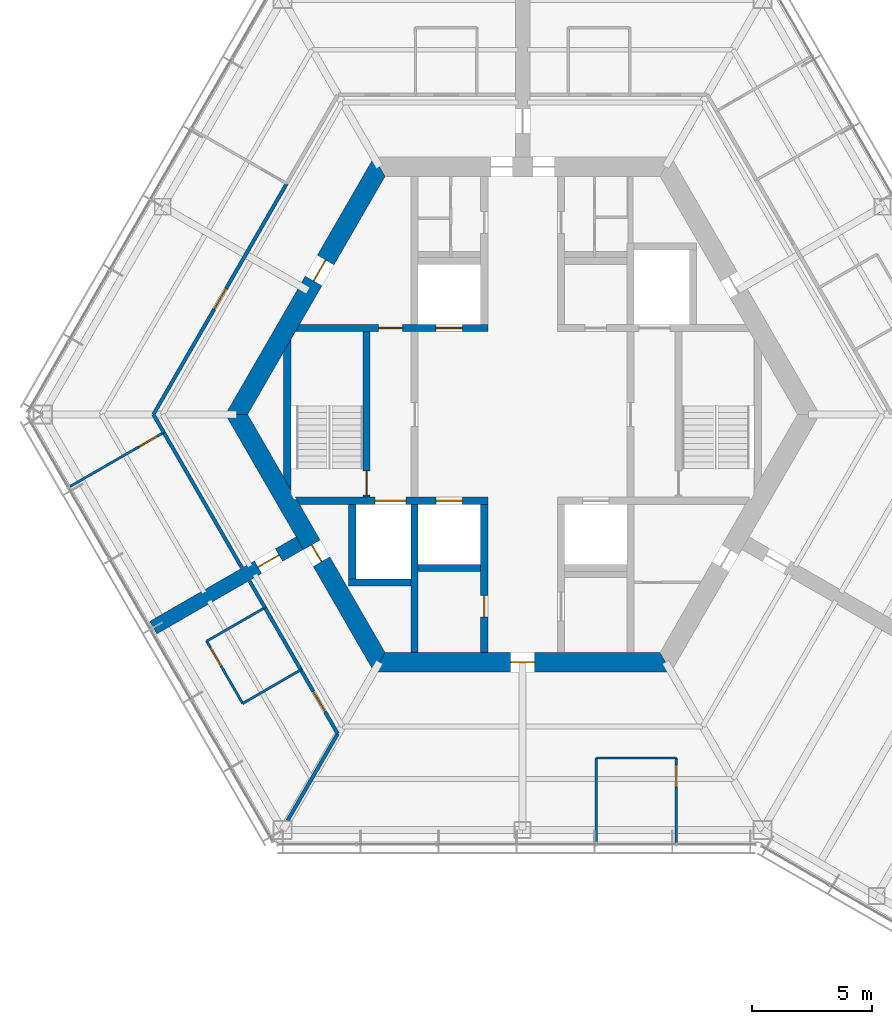
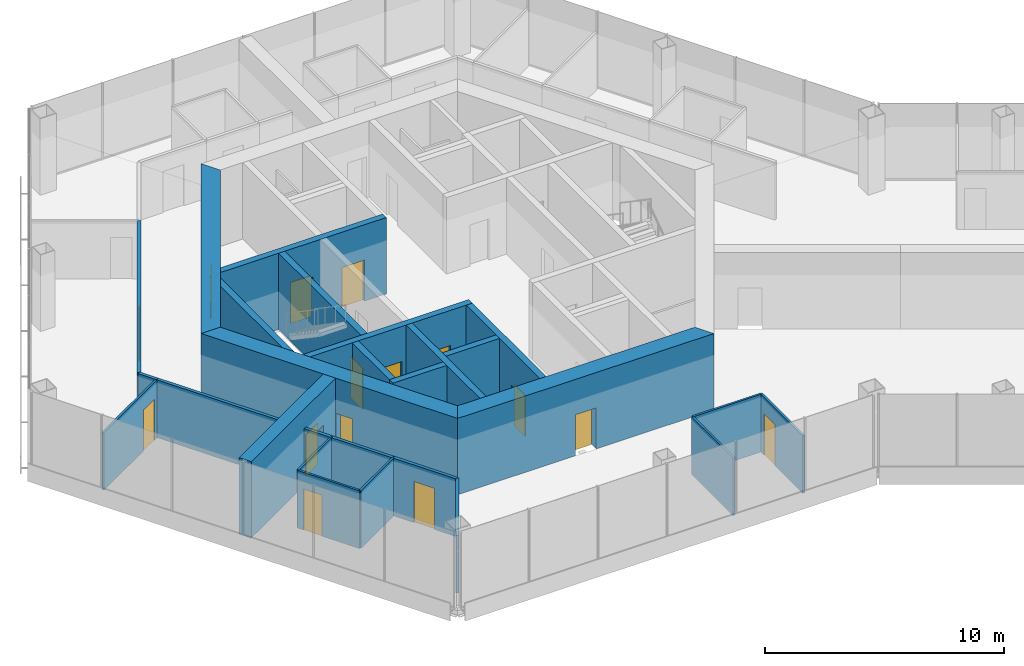
# One storey, part 10 of 15: 27 walls, 15 doors, 15 openings.
"""IFC4 building model written with IfcOpenShell, lengths in metres."""

import ifcopenshell
import ifcopenshell.guid

model = None  # the IFC model being written
_history = None  # IfcOwnerHistory: only IFC2X3 demands one
_inside = {}  # id of a spatial element -> (the spatial element, [elements in it])
_under = {}  # id of a project, library or spatial element -> (it, [spatial elements below it])
_declared = {}  # id of a project -> (the project, [libraries it declares])
_typed = {}  # id of a type object -> (the type object, [elements of that type])
_made_of = {}  # id of a material, layer set ... -> (it, [elements and type objects made of it])


def new_model(schema):
    """Start an empty IFC model of exactly this schema.

    Asked for "IFC4X3", IfcOpenShell would pick the latest addendum, in which some entities
    have other attributes; the version numbers below select the first issue.
    IFC2X3 requires an IfcOwnerHistory on every rooted entity: one is made here for all.
    """
    global model, _history
    if schema == "IFC4X3":
        model = ifcopenshell.file(schema_version=(4, 3, 0, 0))
    else:
        model = ifcopenshell.file(schema=schema)
    _inside.clear()
    _under.clear()
    _declared.clear()
    _typed.clear()
    _made_of.clear()
    _history = None
    if model.schema == "IFC2X3":
        org = make("IfcOrganization", Name="unknown")
        user = make(
            "IfcPersonAndOrganization",
            ThePerson=make("IfcPerson", FamilyName="unknown"),
            TheOrganization=org,
        )
        app = make(
            "IfcApplication",
            ApplicationDeveloper=org,
            Version="unknown",
            ApplicationFullName="unknown",
            ApplicationIdentifier="unknown",
        )
        _history = make(
            "IfcOwnerHistory",
            OwningUser=user,
            OwningApplication=app,
            ChangeAction="ADDED",
            CreationDate=0,
        )
    return model


def make(cls, **values):
    """One entity of the class cls with the attributes given. An attribute that is None is left unset."""
    return model.create_entity(
        cls, **{name: value for name, value in values.items() if value is not None}
    )


def rooted(cls, **values):
    """An entity with a GlobalId (a new one), such as an element, a storey or a relation."""
    return make(cls, GlobalId=ifcopenshell.guid.new(), OwnerHistory=_history, **values)


def si_unit(unit_type, name, prefix=None):
    """IfcSIUnit, for example si_unit("LENGTHUNIT", "METRE", prefix="MILLI")."""
    return make("IfcSIUnit", UnitType=unit_type, Prefix=prefix, Name=name)


def assignment(units):
    """IfcUnitAssignment: the units of a project."""
    return None if units is None else make("IfcUnitAssignment", Units=units)


def point(xyz):
    """IfcCartesianPoint."""
    return None if xyz is None else make("IfcCartesianPoint", Coordinates=xyz)


def direction(xyz):
    """IfcDirection."""
    return None if xyz is None else make("IfcDirection", DirectionRatios=xyz)


def frame(location, z_axis=None, x_axis=None):
    """IfcAxis2Placement3D, a coordinate frame: its origin and axes. An axis left out is left unset."""
    return make(
        "IfcAxis2Placement3D",
        Location=point(location),
        Axis=direction(z_axis),
        RefDirection=direction(x_axis),
    )


def frame_2d(location, x_axis=None):
    """IfcAxis2Placement2D, a coordinate frame in the plane: its origin and x axis."""
    return make(
        "IfcAxis2Placement2D", Location=point(location), RefDirection=direction(x_axis)
    )


def origin():
    """The frame at (0, 0, 0) with its axes left unset."""
    return frame((0.0, 0.0, 0.0))


def place(relative_to, where):
    """IfcLocalPlacement: puts the frame where relative to a parent placement (None: the world)."""
    return make(
        "IfcLocalPlacement", PlacementRelTo=relative_to, RelativePlacement=where
    )


def context(
    kind, dimensions, precision=None, world=None, true_north=None, identifier=None
):
    """IfcGeometricRepresentationContext, for example the 3D "Model" context."""
    return make(
        "IfcGeometricRepresentationContext",
        ContextIdentifier=identifier,
        ContextType=kind,
        CoordinateSpaceDimension=dimensions,
        Precision=precision,
        WorldCoordinateSystem=world,
        TrueNorth=true_north,
    )


def subcontext(parent, identifier, kind, view, scale=None):
    """IfcGeometricRepresentationSubContext, for example "Body" below "Model"."""
    return make(
        "IfcGeometricRepresentationSubContext",
        ContextIdentifier=identifier,
        ContextType=kind,
        ParentContext=parent,
        TargetScale=scale,
        TargetView=view,
    )


def project(units=None, contexts=None):
    """IfcProject with its units and contexts."""
    return rooted(
        "IfcProject",
        Name="project",
        RepresentationContexts=contexts,
        UnitsInContext=assignment(units),
    )


def spatial(cls, under=None, at=None, **own):
    """A site, building, storey or space (cls), placed at a placement, below another one or the project."""
    s = rooted(cls, ObjectPlacement=at, **own)
    if under is not None:
        _under.setdefault(under.id(), (under, []))[1].append(s)
    return s


def polyline(points):
    """IfcPolyline through the points."""
    return make("IfcPolyline", Points=[point(p) for p in points])


def profile(cls, at=None, kind="AREA", **sizes):
    """A parametric profile (cls). Its sizes go by their IFC names, for example OverallWidth=200.0."""
    return make(cls, ProfileType=kind, Position=at, **sizes)


def rectangle(**sizes):
    """IfcRectangleProfileDef."""
    return profile("IfcRectangleProfileDef", **sizes)


def outline(outer, holes=None, kind="AREA"):
    """IfcArbitraryClosedProfileDef: a profile drawn as a closed curve; with holes, ...WithVoids."""
    if holes is None:
        return make("IfcArbitraryClosedProfileDef", ProfileType=kind, OuterCurve=outer)
    return make(
        "IfcArbitraryProfileDefWithVoids",
        ProfileType=kind,
        OuterCurve=outer,
        InnerCurves=holes,
    )


def extrude(swept, where, along, depth):
    """IfcExtrudedAreaSolid: the profile swept, set in the frame where, extruded along a direction by depth."""
    return make(
        "IfcExtrudedAreaSolid",
        SweptArea=swept,
        Position=where,
        ExtrudedDirection=direction(along),
        Depth=depth,
    )


def shape(context_of_items, identifier, shape_type, items):
    """IfcShapeRepresentation: the items that make up one representation, for example the "Body"."""
    return make(
        "IfcShapeRepresentation",
        ContextOfItems=context_of_items,
        RepresentationIdentifier=identifier,
        RepresentationType=shape_type,
        Items=items,
    )


def material(Name=None, Category=None):
    """IfcMaterial."""
    return make("IfcMaterial", Name=Name, Category=Category)


def layer(
    of_material, thickness, ventilated=None, Name=None, Category=None, Priority=None
):
    """IfcMaterialLayer: one layer of a wall or slab, of a material (None: an air gap)."""
    return make(
        "IfcMaterialLayer",
        Material=of_material,
        LayerThickness=thickness,
        IsVentilated=ventilated,
        Name=Name,
        Category=Category,
        Priority=Priority,
    )


def layer_set(layers, Name=None):
    """IfcMaterialLayerSet."""
    return make("IfcMaterialLayerSet", MaterialLayers=layers, LayerSetName=Name)


def made_of(thing, what):
    """Note that an element or type object is made of a material, layer set ...; save() writes the relation."""
    if what is not None:
        _made_of.setdefault(what.id(), (what, []))[1].append(thing)
    return thing


def type_object(cls, material=None, **own):
    """A type object (cls), such as IfcWallType, which elements share."""
    return made_of(rooted(cls, **own), material)


def element(
    cls,
    number,
    at=None,
    inside=None,
    cuts=None,
    type_object=None,
    material=None,
    context=None,
    identifier="Body",
    shape_type=None,
    held_by="IfcProductDefinitionShape",
    body=None,
    shapes=None,
    **own,
):
    """One element of the class cls, such as IfcWall. Its Tag is "e" and its number.

    at: its placement. inside: the storey or other place that contains it. cuts: it is an
    opening in that element (IfcRelVoidsElement). A single representation is given by context,
    identifier, shape_type and body (its items); several are given by shapes. held_by: the class
    of the entity that holds the representations. save() writes the other relations.
    """
    e = rooted(cls, Tag="e%d" % number, ObjectPlacement=at, **own)
    if body is not None:
        shapes = [shape(context, identifier, shape_type, body)]
    if shapes is not None:
        e.Representation = make(held_by, Representations=shapes)
    if inside is not None:
        _inside.setdefault(inside.id(), (inside, []))[1].append(e)
    if cuts is not None:
        rooted(
            "IfcRelVoidsElement", RelatingBuildingElement=cuts, RelatedOpeningElement=e
        )
    if type_object is not None:
        _typed.setdefault(type_object.id(), (type_object, []))[1].append(e)
    return made_of(e, material)


def fill(opening, filler):
    """IfcRelFillsElement: the door or window that sits in an opening."""
    return rooted(
        "IfcRelFillsElement",
        RelatingOpeningElement=opening,
        RelatedBuildingElement=filler,
    )


def aggregate(whole, parts):
    """IfcRelAggregates: a whole, such as a stair, and the parts it consists of."""
    return rooted("IfcRelAggregates", RelatingObject=whole, RelatedObjects=parts)


def save(model, path):
    """Write the relations noted so far, then the file.

    IfcRelAggregates (storeys below a building ...), IfcRelContainedInSpatialStructure (elements
    in a storey), IfcRelDefinesByType, IfcRelAssociatesMaterial and IfcRelDeclares: one each for
    every whole, place, type object, material and project.
    """
    for whole, parts in _under.values():
        aggregate(whole, parts)
    for where, things in _inside.values():
        rooted(
            "IfcRelContainedInSpatialStructure",
            RelatedElements=things,
            RelatingStructure=where,
        )
    for kind, things in _typed.values():
        rooted("IfcRelDefinesByType", RelatedObjects=things, RelatingType=kind)
    for what, things in _made_of.values():
        rooted("IfcRelAssociatesMaterial", RelatedObjects=things, RelatingMaterial=what)
    for by, libraries in _declared.values():
        rooted("IfcRelDeclares", RelatingContext=by, RelatedDefinitions=libraries)
    model.write(path)


model = new_model("IFC4")

# Units and contexts
model_context = context("Model", 3, precision=1e-05, world=origin(), true_north=direction((0.0, 1.0)))
body_context = subcontext(model_context, "Body", "Model", "MODEL_VIEW")
ifc_project = project(units=[si_unit("LENGTHUNIT", "METRE"), si_unit("AREAUNIT", "SQUARE_METRE"), si_unit("VOLUMEUNIT", "CUBIC_METRE"), si_unit("PLANEANGLEUNIT", "RADIAN"), si_unit("MASSUNIT", "GRAM", prefix="KILO")], contexts=[model_context])

# Site, building, storey
site_placement = place(None, origin())
site = spatial("IfcSite", under=ifc_project, at=site_placement, CompositionType="ELEMENT")
building_placement = place(site_placement, origin())
building = spatial("IfcBuilding", under=site, at=building_placement, Name="Kasaneha Research Tower", CompositionType="ELEMENT")
storey_placement = place(building_placement, frame((0.0, 0.0, 240.10009765625)))
storey = spatial("IfcBuildingStorey", under=building, at=storey_placement, Name="L60", CompositionType="ELEMENT", Elevation=240.10009765625)

# Wall, openings, doors
ifc_material_1 = material(Name="Concrete Fc60", Category="concrete")
ifc_layer_1 = layer(ifc_material_1, 0.300048828125)
ifc_layer_set_1 = layer_set([ifc_layer_1], Name="Core internal wall 300 Fc60")
wall_type_1 = type_object("IfcWallType", Name="Core internal wall 300 Fc60", PredefinedType="SHEAR", material=ifc_layer_set_1)
wall_1_placement = place(storey_placement, frame((-9.3818359375, 3.60009765625, 0.0), z_axis=(0.0, 0.0, 1.0), x_axis=(1.0, 0.0, 0.0)))
wall_1 = element("IfcWall", 1, at=wall_1_placement, inside=storey, type_object=wall_type_1, Name="Core wall W1W L60", PredefinedType="SHEAR", context=body_context, shape_type="SweptSolid", body=[
    extrude(outline(polyline([(-0.086669921875, -0.14990234375), (3.3818359375, -0.14990234375), (4.3818359375, -0.14990234375), (5.781982421875, -0.14990234375), (6.882080078125, -0.14990234375), (7.931884765625, -0.14990234375), (7.931884765625, 0.14990234375), (6.882080078125, 0.14990234375), (5.781982421875, 0.14990234375), (4.3818359375, 0.14990234375), (3.3818359375, 0.14990234375), (0.086669921875, 0.14990234375), (-0.086669921875, -0.14990234375)])), origin(), (0.0, 0.0, 1.0), 3.89990234375),
])
opening_1_placement = place(wall_1_placement, frame((3.3818359375, 0.0, 0.0)))
opening_1 = element("IfcOpeningElement", 2, at=opening_1_placement, cuts=wall_1, Name="Opening L60-D12", PredefinedType="OPENING", context=body_context, shape_type="SweptSolid", body=[
    extrude(rectangle(XDim=1.0, YDim=2.10009765625, at=frame_2d((0.5, 1.050048828125))), frame((0.0, 0.16015625, 0.0), z_axis=(0.0, -1.0, 0.0), x_axis=(1.0, 0.0, 0.0)), (0.0, 0.0, 1.0), 0.320068359375),
])
opening_2_placement = place(wall_1_placement, frame((5.781982421875, 0.0, 0.0)))
opening_2 = element("IfcOpeningElement", 3, at=opening_2_placement, cuts=wall_1, Name="Opening LD-LH2-L60", PredefinedType="OPENING", context=body_context, shape_type="SweptSolid", body=[
    extrude(rectangle(XDim=1.10009765625, YDim=2.10009765625, at=frame_2d((0.550048828125, 1.050048828125))), frame((0.0, 0.16015625, 0.0), z_axis=(0.0, -1.0, 0.0), x_axis=(1.0, 0.0, 0.0)), (0.0, 0.0, 1.0), 0.320068359375),
])
ifc_material_2 = material(Name="Steel", Category="steel")
door_type_1 = type_object("IfcDoorType", Name="Lift landing door 1100x2100", OperationType="DOUBLE_DOOR_SLIDING", PredefinedType="DOOR", material=ifc_material_2)
door_1_placement = place(opening_2_placement, origin())
door_1 = element("IfcDoor", 4, at=door_1_placement, inside=storey, type_object=door_type_1, Name="Landing door LH2 LD-LH2-L60", OperationType="DOUBLE_DOOR_SLIDING", OverallHeight=2.10009765625, OverallWidth=1.10009765625, PredefinedType="DOOR", context=body_context, shape_type="SweptSolid", body=[
    extrude(rectangle(XDim=1.10009765625, YDim=2.10009765625, at=frame_2d((0.550048828125, 1.050048828125))), frame((0.0, 0.02490234375, 0.0), z_axis=(0.0, -1.0, 0.0), x_axis=(1.0, 0.0, 0.0)), (0.0, 0.0, 1.0), 0.050048828125),
])
fill(opening_2, door_1)
ifc_material_3 = material(Name="Steel", Category="steel")
door_type_2 = type_object("IfcDoorType", Name="Specified fire door FD60 1000x2100", OperationType="NOTDEFINED", PredefinedType="DOOR", material=ifc_material_3)
door_2_placement = place(opening_1_placement, origin())
door_2 = element("IfcDoor", 5, at=door_2_placement, inside=storey, type_object=door_type_2, Name="Vestibule to lobby door L60-D12", OperationType="SINGLE_SWING_LEFT", OverallHeight=2.10009765625, OverallWidth=1.0, PredefinedType="DOOR", context=body_context, shape_type="SweptSolid", body=[
    extrude(rectangle(XDim=1.0, YDim=2.10009765625, at=frame_2d((0.5, 1.050048828125))), frame((0.0, 0.02490234375, 0.0), z_axis=(0.0, -1.0, 0.0), x_axis=(1.0, 0.0, 0.0)), (0.0, 0.0, 1.0), 0.050048828125),
])
fill(opening_1, door_2)

wall_2_placement = place(storey_placement, frame((-9.3818359375, -3.60009765625, 0.0), z_axis=(0.0, 0.0, 1.0), x_axis=(1.0, 0.0, 0.0)))
wall_2 = element("IfcWall", 6, at=wall_2_placement, inside=storey, type_object=wall_type_1, Name="Core wall W2W L60", PredefinedType="SHEAR", context=body_context, shape_type="SweptSolid", body=[
    extrude(outline(polyline([(0.086669921875, -0.14990234375), (3.23193359375, -0.14990234375), (4.531982421875, -0.14990234375), (5.781982421875, -0.14990234375), (6.882080078125, -0.14990234375), (7.931884765625, -0.14990234375), (7.931884765625, 0.14990234375), (6.882080078125, 0.14990234375), (5.781982421875, 0.14990234375), (4.531982421875, 0.14990234375), (3.23193359375, 0.14990234375), (-0.086669921875, 0.14990234375), (0.086669921875, -0.14990234375)])), origin(), (0.0, 0.0, 1.0), 3.89990234375),
])
opening_3_placement = place(wall_2_placement, frame((5.781982421875, 0.0, 0.0)))
opening_3 = element("IfcOpeningElement", 7, at=opening_3_placement, cuts=wall_2, Name="Opening LD-LH1-L60", PredefinedType="OPENING", context=body_context, shape_type="SweptSolid", body=[
    extrude(rectangle(XDim=1.10009765625, YDim=2.10009765625, at=frame_2d((0.550048828125, 1.050048828125))), frame((0.0, 0.16015625, 0.0), z_axis=(0.0, -1.0, 0.0), x_axis=(1.0, 0.0, 0.0)), (0.0, 0.0, 1.0), 0.320068359375),
])
opening_4_placement = place(wall_2_placement, frame((3.23193359375, 0.0, 0.0)))
opening_4 = element("IfcOpeningElement", 8, at=opening_4_placement, cuts=wall_2, Name="Opening LD-FL2-L60", PredefinedType="OPENING", context=body_context, shape_type="SweptSolid", body=[
    extrude(rectangle(XDim=1.300048828125, YDim=2.10009765625, at=frame_2d((0.64990234375, 1.050048828125))), frame((0.0, 0.16015625, 0.0), z_axis=(0.0, -1.0, 0.0), x_axis=(1.0, 0.0, 0.0)), (0.0, 0.0, 1.0), 0.320068359375),
])
door_3_placement = place(opening_3_placement, origin())
door_3 = element("IfcDoor", 9, at=door_3_placement, inside=storey, type_object=door_type_1, Name="Landing door LH1 LD-LH1-L60", OperationType="DOUBLE_DOOR_SLIDING", OverallHeight=2.10009765625, OverallWidth=1.10009765625, PredefinedType="DOOR", context=body_context, shape_type="SweptSolid", body=[
    extrude(rectangle(XDim=1.10009765625, YDim=2.10009765625, at=frame_2d((0.550048828125, 1.050048828125))), frame((0.0, 0.02490234375, 0.0), z_axis=(0.0, -1.0, 0.0), x_axis=(1.0, 0.0, 0.0)), (0.0, 0.0, 1.0), 0.050048828125),
])
fill(opening_3, door_3)
ifc_material_4 = material(Name="Steel", Category="steel")
door_type_3 = type_object("IfcDoorType", Name="Lift landing door 1300x2100", OperationType="DOUBLE_DOOR_SLIDING", PredefinedType="DOOR", material=ifc_material_4)
door_4_placement = place(opening_4_placement, origin())
door_4 = element("IfcDoor", 10, at=door_4_placement, inside=storey, type_object=door_type_3, Name="Landing door FL2 LD-FL2-L60", OperationType="DOUBLE_DOOR_SLIDING", OverallHeight=2.10009765625, OverallWidth=1.300048828125, PredefinedType="DOOR", context=body_context, shape_type="SweptSolid", body=[
    extrude(rectangle(XDim=1.300048828125, YDim=2.10009765625, at=frame_2d((0.64990234375, 1.050048828125))), frame((0.0, 0.02490234375, 0.0), z_axis=(0.0, -1.0, 0.0), x_axis=(1.0, 0.0, 0.0)), (0.0, 0.0, 1.0), 0.050048828125),
])
fill(opening_4, door_4)

# Wall, opening, door
wall_3_placement = place(storey_placement, frame((-1.60009765625, -3.75, 0.0), z_axis=(0.0, 0.0, 1.0), x_axis=(0.0, -1.0, 0.0)))
wall_3 = element("IfcWall", 11, at=wall_3_placement, inside=storey, type_object=wall_type_1, Name="Core wall CSW L60", PredefinedType="SHEAR", context=body_context, shape_type="SweptSolid", body=[
    extrude(rectangle(XDim=6.175048828125, YDim=0.300048828125, at=frame_2d((3.08740234375, 0.0))), origin(), (0.0, 0.0, 1.0), 3.89990234375),
])
opening_5_placement = place(wall_3_placement, frame((3.800048828125, 0.0, 0.0)))
opening_5 = element("IfcOpeningElement", 12, at=opening_5_placement, cuts=wall_3, Name="Opening L60-D16", PredefinedType="OPENING", context=body_context, shape_type="SweptSolid", body=[
    extrude(rectangle(XDim=0.89990234375, YDim=2.10009765625, at=frame_2d((0.449951171875, 1.050048828125))), frame((0.0, 0.16015625, 0.0), z_axis=(0.0, -1.0, 0.0), x_axis=(1.0, 0.0, 0.0)), (0.0, 0.0, 1.0), 0.320068359375),
])
ifc_material_5 = material(Name="Steel", Category="steel")
door_type_4 = type_object("IfcDoorType", Name="Riser access door FD60 900x2100", OperationType="NOTDEFINED", PredefinedType="DOOR", material=ifc_material_5)
door_5_placement = place(opening_5_placement, origin())
door_5 = element("IfcDoor", 13, at=door_5_placement, inside=storey, type_object=door_type_4, Name="Electrical riser door L60-D16", OperationType="SINGLE_SWING_LEFT", OverallHeight=2.10009765625, OverallWidth=0.89990234375, PredefinedType="DOOR", context=body_context, shape_type="SweptSolid", body=[
    extrude(rectangle(XDim=0.89990234375, YDim=2.10009765625, at=frame_2d((0.449951171875, 1.050048828125))), frame((0.0, 0.02490234375, 0.0), z_axis=(0.0, -1.0, 0.0), x_axis=(1.0, 0.0, 0.0)), (0.0, 0.0, 1.0), 0.050048828125),
])
fill(opening_5, door_5)

wall_4_placement = place(storey_placement, frame((-6.5, -3.449951171875, 0.0), z_axis=(0.0, 0.0, 1.0), x_axis=(0.0, 1.0, 0.0)))
wall_4 = element("IfcWall", 14, at=wall_4_placement, inside=storey, type_object=wall_type_1, Name="Core wall ANW L60", PredefinedType="SHEAR", context=body_context, shape_type="SweptSolid", body=[
    extrude(rectangle(XDim=6.89990234375, YDim=0.300048828125, at=frame_2d((3.449951171875, 0.0))), origin(), (0.0, 0.0, 1.0), 3.89990234375),
])
opening_6_placement = place(wall_4_placement, frame((0.10009765625, 0.0, 0.0)))
opening_6 = element("IfcOpeningElement", 15, at=opening_6_placement, cuts=wall_4, Name="Opening L60-D11", PredefinedType="OPENING", context=body_context, shape_type="SweptSolid", body=[
    extrude(rectangle(XDim=1.0, YDim=2.10009765625, at=frame_2d((0.5, 1.050048828125))), frame((0.0, 0.16015625, 0.0), z_axis=(0.0, -1.0, 0.0), x_axis=(1.0, 0.0, 0.0)), (0.0, 0.0, 1.0), 0.320068359375),
])
door_6_placement = place(opening_6_placement, origin())
door_6 = element("IfcDoor", 16, at=door_6_placement, inside=storey, type_object=door_type_2, Name="Stair 2 door L60-D11", OperationType="SINGLE_SWING_LEFT", OverallHeight=2.10009765625, OverallWidth=1.0, PredefinedType="DOOR", context=body_context, shape_type="SweptSolid", body=[
    extrude(rectangle(XDim=1.0, YDim=2.10009765625, at=frame_2d((0.5, 1.050048828125))), frame((0.0, 0.02490234375, 0.0), z_axis=(0.0, -1.0, 0.0), x_axis=(1.0, 0.0, 0.0)), (0.0, 0.0, 1.0), 0.050048828125),
])
fill(opening_6, door_6)

# Walls
wall_5_placement = place(storey_placement, frame((-4.5, -3.75, 0.0), z_axis=(0.0, 0.0, 1.0), x_axis=(0.0, -1.0, 0.0)))
element("IfcWall", 17, at=wall_5_placement, inside=storey, type_object=wall_type_1, Name="Core wall SSW L60", PredefinedType="SHEAR", context=body_context, shape_type="SweptSolid", body=[
    extrude(rectangle(XDim=6.175048828125, YDim=0.300048828125, at=frame_2d((3.08740234375, 0.0))), origin(), (0.0, 0.0, 1.0), 3.89990234375),
])
for number, where, z_axis, x_axis, name in (
    (18, (-4.35009765625, -6.39990234375, 0.0), (0.0, 0.0, 1.0), (1.0, 0.0, 0.0), "Core wall S1S L60"),
    (19, (-7.25, -7.0, 0.0), (0.0, 0.0, 1.0), (1.0, 0.0, 0.0), "Core wall F2S L60"),
):
    element("IfcWall", number, at=place(storey_placement, frame(where, z_axis=z_axis, x_axis=x_axis)), inside=storey, type_object=wall_type_1, Name=name, PredefinedType="SHEAR", context=body_context, shape_type="SweptSolid", body=[
        extrude(rectangle(XDim=2.60009765625, YDim=0.300048828125, at=frame_2d((1.300048828125, 0.0))), origin(), (0.0, 0.0, 1.0), 3.89990234375),
    ])
wall_6_placement = place(storey_placement, frame((-7.10009765625, -3.75, 0.0), z_axis=(0.0, 0.0, 1.0), x_axis=(0.0, -1.0, 0.0)))
element("IfcWall", 20, at=wall_6_placement, inside=storey, type_object=wall_type_1, Name="Core wall F2W L60", PredefinedType="SHEAR", context=body_context, shape_type="SweptSolid", body=[
    extrude(rectangle(XDim=3.10009765625, YDim=0.300048828125, at=frame_2d((1.550048828125, 0.0))), origin(), (0.0, 0.0, 1.0), 3.89990234375),
])
wall_7_placement = place(storey_placement, frame((-9.807861328125, -2.8623046875, 0.0), z_axis=(0.0, 0.0, 1.0), x_axis=(0.0, 1.0, 0.0)))
element("IfcWall", 21, at=wall_7_placement, inside=storey, type_object=wall_type_1, Name="Core wall STW L60", PredefinedType="SHEAR", context=body_context, shape_type="SweptSolid", body=[
    extrude(outline(polyline([(-0.259765625, -0.14990234375), (5.984375, -0.14990234375), (5.46484375, 0.14990234375), (0.259765625, 0.14990234375), (-0.259765625, -0.14990234375)])), origin(), (0.0, 0.0, 1.0), 3.89990234375),
])

# Wall, opening, door
ifc_material_6 = material(Name="Concrete Fc60", Category="concrete")
ifc_layer_2 = layer(ifc_material_6, 0.800048828125)
ifc_layer_set_2 = layer_set([ifc_layer_2], Name="Core wall 800 Fc60")
wall_type_2 = type_object("IfcWallType", Name="Core wall 800 Fc60", PredefinedType="SHEAR", material=ifc_layer_set_2)
wall_8_placement = place(storey_placement, frame((-5.961181640625, 10.324951171875, 0.0), z_axis=(0.0, 0.0, 1.0), x_axis=(-0.500004296715, -0.866022923061, 0.0)))
wall_8 = element("IfcWall", 22, at=wall_8_placement, inside=storey, type_object=wall_type_2, Name="Core wall 150 L60", PredefinedType="SHEAR", context=body_context, shape_type="SweptSolid", body=[
    extrude(outline(polyline([(-0.23095703125, -0.39990234375), (4.494140625, -0.39990234375), (5.494140625, -0.39990234375), (12.1533203125, -0.39990234375), (11.69140625, 0.39990234375), (5.494140625, 0.39990234375), (4.494140625, 0.39990234375), (0.23095703125, 0.39990234375), (-0.23095703125, -0.39990234375)])), origin(), (0.0, 0.0, 1.0), 3.89990234375),
])
opening_7_placement = place(wall_8_placement, frame((4.494140625, 0.0, 0.0)))
opening_7 = element("IfcOpeningElement", 23, at=opening_7_placement, cuts=wall_8, Name="Opening L60-D07", PredefinedType="OPENING", context=body_context, shape_type="SweptSolid", body=[
    extrude(rectangle(XDim=1.0, YDim=2.10009765625, at=frame_2d((0.5, 1.050048828125))), frame((0.0, 0.41015625, 0.0), z_axis=(0.0, -1.0, 0.0), x_axis=(1.0, 0.0, 0.0)), (0.0, 0.0, 1.0), 0.820068359375),
])
ifc_material_7 = material(Name="Steel", Category="steel")
door_type_5 = type_object("IfcDoorType", Name="Fire door FD20 1000x2100", OperationType="NOTDEFINED", PredefinedType="DOOR", material=ifc_material_7)
door_7_placement = place(opening_7_placement, origin())
door_7 = element("IfcDoor", 24, at=door_7_placement, inside=storey, type_object=door_type_5, Name="Vestibule door L60-D07", OperationType="SINGLE_SWING_LEFT", OverallHeight=2.10009765625, OverallWidth=1.0, PredefinedType="DOOR", context=body_context, shape_type="SweptSolid", body=[
    extrude(rectangle(XDim=1.0, YDim=2.10009765625, at=frame_2d((0.5, 1.050048828125))), frame((0.0, 0.02490234375, 0.0), z_axis=(0.0, -1.0, 0.0), x_axis=(1.0, 0.0, 0.0)), (0.0, 0.0, 1.0), 0.050048828125),
])
fill(opening_7, door_7)

wall_9_placement = place(storey_placement, frame((-11.92236328125, 0.0, 0.0), z_axis=(0.0, 0.0, 1.0), x_axis=(0.500004296715, -0.866022923061, 0.0)))
wall_9 = element("IfcWall", 25, at=wall_9_placement, inside=storey, type_object=wall_type_2, Name="Core wall 210 L60", PredefinedType="SHEAR", context=body_context, shape_type="SweptSolid", body=[
    extrude(outline(polyline([(-0.23095703125, -0.39990234375), (6.28125, -0.39990234375), (7.081298828125, -0.39990234375), (12.1533203125, -0.39990234375), (11.69140625, 0.39990234375), (7.081298828125, 0.39990234375), (6.28125, 0.39990234375), (0.23095703125, 0.39990234375), (-0.23095703125, -0.39990234375)])), origin(), (0.0, 0.0, 1.0), 3.89990234375),
])
opening_8_placement = place(wall_9_placement, frame((6.28125, 0.0, 0.0)))
opening_8 = element("IfcOpeningElement", 26, at=opening_8_placement, cuts=wall_9, Name="Opening L60-D06", PredefinedType="OPENING", context=body_context, shape_type="SweptSolid", body=[
    extrude(rectangle(XDim=0.800048828125, YDim=2.10009765625, at=frame_2d((0.39990234375, 1.050048828125))), frame((0.0, 0.41015625, 0.0), z_axis=(0.0, -1.0, 0.0), x_axis=(1.0, 0.0, 0.0)), (0.0, 0.0, 1.0), 0.820068359375),
])
ifc_material_8 = material(Name="Steel", Category="steel")
door_type_6 = type_object("IfcDoorType", Name="Riser access door FD60 800x2100", OperationType="NOTDEFINED", PredefinedType="DOOR", material=ifc_material_8)
door_8_placement = place(opening_8_placement, origin())
door_8 = element("IfcDoor", 27, at=door_8_placement, inside=storey, type_object=door_type_6, Name="Duct riser door L60-D06", OperationType="SINGLE_SWING_RIGHT", OverallHeight=2.10009765625, OverallWidth=0.800048828125, PredefinedType="DOOR", context=body_context, shape_type="SweptSolid", body=[
    extrude(rectangle(XDim=0.800048828125, YDim=2.10009765625, at=frame_2d((0.39990234375, 1.050048828125))), frame((0.0, 0.02490234375, 0.0), z_axis=(0.0, -1.0, 0.0), x_axis=(1.0, 0.0, 0.0)), (0.0, 0.0, 1.0), 0.050048828125),
])
fill(opening_8, door_8)

wall_10_placement = place(storey_placement, frame((-5.961181640625, -10.324951171875, 0.0), z_axis=(0.0, 0.0, 1.0), x_axis=(1.0, 0.0, 0.0)))
wall_10 = element("IfcWall", 28, at=wall_10_placement, inside=storey, type_object=wall_type_2, Name="Core wall 270 L60", PredefinedType="SHEAR", context=body_context, shape_type="SweptSolid", body=[
    extrude(outline(polyline([(-0.23095703125, -0.39990234375), (5.461181640625, -0.39990234375), (6.461181640625, -0.39990234375), (12.1533203125, -0.39990234375), (11.69140625, 0.39990234375), (6.461181640625, 0.39990234375), (5.461181640625, 0.39990234375), (0.23095703125, 0.39990234375), (-0.23095703125, -0.39990234375)])), origin(), (0.0, 0.0, 1.0), 3.89990234375),
])
opening_9_placement = place(wall_10_placement, frame((5.461181640625, 0.0, 0.0)))
opening_9 = element("IfcOpeningElement", 29, at=opening_9_placement, cuts=wall_10, Name="Opening L60-D03", PredefinedType="OPENING", context=body_context, shape_type="SweptSolid", body=[
    extrude(rectangle(XDim=1.0, YDim=2.10009765625, at=frame_2d((0.5, 1.050048828125))), frame((0.0, 0.41015625, 0.0), z_axis=(0.0, -1.0, 0.0), x_axis=(1.0, 0.0, 0.0)), (0.0, 0.0, 1.0), 0.820068359375),
])
door_9_placement = place(opening_9_placement, origin())
door_9 = element("IfcDoor", 30, at=door_9_placement, inside=storey, type_object=door_type_5, Name="Core door south L60-D03", OperationType="SINGLE_SWING_LEFT", OverallHeight=2.10009765625, OverallWidth=1.0, PredefinedType="DOOR", context=body_context, shape_type="SweptSolid", body=[
    extrude(rectangle(XDim=1.0, YDim=2.10009765625, at=frame_2d((0.5, 1.050048828125))), frame((0.0, 0.02490234375, 0.0), z_axis=(0.0, -1.0, 0.0), x_axis=(1.0, 0.0, 0.0)), (0.0, 0.0, 1.0), 0.050048828125),
])
fill(opening_9, door_9)

ifc_material_9 = material(Name="Gypsum board on steel studs, one layer each side", Category="steel")
ifc_layer_3 = layer(ifc_material_9, 0.10009765625)
ifc_layer_set_3 = layer_set([ifc_layer_3], Name="Office partition 100")
wall_type_3 = type_object("IfcWallType", Name="Office partition 100", PredefinedType="PARTITIONING", material=ifc_layer_set_3)
wall_11_placement = place(storey_placement, frame((-18.857177734375, -2.99951171875, 0.0), z_axis=(0.0, 0.0, 1.0), x_axis=(0.866517357236, 0.4991469419, 0.0)))
wall_11 = element("IfcWall", 31, at=wall_11_placement, inside=storey, type_object=wall_type_3, Name="Office partition FBN05 L60", PredefinedType="PARTITIONING", context=body_context, shape_type="SweptSolid", body=[
    extrude(rectangle(XDim=4.505615234375, YDim=0.10009765625, at=frame_2d((2.2529296875, 0.0))), origin(), (0.0, 0.0, 1.0), 2.949951171875),
])
opening_10_placement = place(wall_11_placement, frame((3.3056640625, 0.0, 0.0)))
opening_10 = element("IfcOpeningElement", 32, at=opening_10_placement, cuts=wall_11, Name="Opening L60-D34", PredefinedType="OPENING", context=body_context, shape_type="SweptSolid", body=[
    extrude(rectangle(XDim=0.89990234375, YDim=2.10009765625, at=frame_2d((0.449951171875, 1.050048828125))), frame((0.0, 0.06005859375, 0.0), z_axis=(0.0, -1.0, 0.0), x_axis=(1.0, 0.0, 0.0)), (0.0, 0.0, 1.0), 0.1201171875),
])
ifc_material_10 = material(Name="Timber veneer", Category="wood")
door_type_7 = type_object("IfcDoorType", Name="Office door 900x2100", OperationType="SINGLE_SWING_LEFT", PredefinedType="DOOR", material=ifc_material_10)
door_10_placement = place(opening_10_placement, origin())
door_10 = element("IfcDoor", 33, at=door_10_placement, inside=storey, type_object=door_type_7, Name="Meeting room door L60-D34", OperationType="SINGLE_SWING_RIGHT", OverallHeight=2.10009765625, OverallWidth=0.89990234375, PredefinedType="DOOR", context=body_context, shape_type="SweptSolid", body=[
    extrude(rectangle(XDim=0.89990234375, YDim=2.10009765625, at=frame_2d((0.449951171875, 1.050048828125))), frame((0.0, 0.02490234375, 0.0), z_axis=(0.0, -1.0, 0.0), x_axis=(1.0, 0.0, 0.0)), (0.0, 0.0, 1.0), 0.050048828125),
])
fill(opening_10, door_10)

# Wall
wall_12_placement = place(storey_placement, frame((-13.164794921875, -9.447998046875, 0.0), z_axis=(0.0, 0.0, 1.0), x_axis=(0.866855433567, 0.498559582492, 0.0)))
element("IfcWall", 34, at=wall_12_placement, inside=storey, type_object=wall_type_3, Name="Office partition FBS04 L60", PredefinedType="PARTITIONING", context=body_context, shape_type="SweptSolid", body=[
    extrude(rectangle(XDim=2.800048828125, YDim=0.10009765625, at=frame_2d((1.39990234375, 0.0))), origin(), (0.0, 0.0, 1.0), 2.949951171875),
])

# Wall, opening, door
wall_13_placement = place(storey_placement, frame((-11.664794921875, -12.046142578125, 0.0), z_axis=(0.0, 0.0, 1.0), x_axis=(-0.499990139034, 0.866031096941, 0.0)))
wall_13 = element("IfcWall", 35, at=wall_13_placement, inside=storey, type_object=wall_type_3, Name="Office partition FBS05 L60", PredefinedType="PARTITIONING", context=body_context, shape_type="SweptSolid", body=[
    extrude(rectangle(XDim=3.0, YDim=0.10009765625, at=frame_2d((1.5, 0.0))), origin(), (0.0, 0.0, 1.0), 2.949951171875),
])
opening_11_placement = place(wall_13_placement, frame((1.800048828125, 0.0, 0.0)))
opening_11 = element("IfcOpeningElement", 36, at=opening_11_placement, cuts=wall_13, Name="Opening L60-D37", PredefinedType="OPENING", context=body_context, shape_type="SweptSolid", body=[
    extrude(rectangle(XDim=0.89990234375, YDim=2.10009765625, at=frame_2d((0.449951171875, 1.050048828125))), frame((0.0, 0.06005859375, 0.0), z_axis=(0.0, -1.0, 0.0), x_axis=(1.0, 0.0, 0.0)), (0.0, 0.0, 1.0), 0.1201171875),
])
door_11_placement = place(opening_11_placement, origin())
door_11 = element("IfcDoor", 37, at=door_11_placement, inside=storey, type_object=door_type_7, Name="Pantry door L60-D37", OperationType="SINGLE_SWING_RIGHT", OverallHeight=2.10009765625, OverallWidth=0.89990234375, PredefinedType="DOOR", context=body_context, shape_type="SweptSolid", body=[
    extrude(rectangle(XDim=0.89990234375, YDim=2.10009765625, at=frame_2d((0.449951171875, 1.050048828125))), frame((0.0, 0.02490234375, 0.0), z_axis=(0.0, -1.0, 0.0), x_axis=(1.0, 0.0, 0.0)), (0.0, 0.0, 1.0), 0.050048828125),
])
fill(opening_11, door_11)

# Walls
wall_14_placement = place(storey_placement, frame((-9.241943359375, -10.642333984375, 0.0), z_axis=(0.0, 0.0, 1.0), x_axis=(-0.865255114713, -0.501331812737, 0.0)))
element("IfcWall", 38, at=wall_14_placement, inside=storey, type_object=wall_type_3, Name="Office partition FBS06 L60", PredefinedType="PARTITIONING", context=body_context, shape_type="SweptSolid", body=[
    extrude(rectangle(XDim=2.800048828125, YDim=0.10009765625, at=frame_2d((1.39990234375, 0.0))), origin(), (0.0, 0.0, 1.0), 2.949951171875),
])
wall_15_placement = place(storey_placement, frame((3.077392578125, -17.800537109375, 0.0), z_axis=(0.0, 0.0, 1.0), x_axis=(0.0, 1.0, 0.0)))
element("IfcWall", 39, at=wall_15_placement, inside=storey, type_object=wall_type_3, Name="Office partition FCS03 L60", PredefinedType="PARTITIONING", context=body_context, shape_type="SweptSolid", body=[
    extrude(rectangle(XDim=3.47998046875, YDim=0.10009765625, at=frame_2d((1.739990234375, 0.0))), origin(), (0.0, 0.0, 1.0), 2.949951171875),
])
wall_16_placement = place(storey_placement, frame((3.077392578125, -14.320556640625, 0.0), z_axis=(0.0, 0.0, 1.0), x_axis=(1.0, 0.0, 0.0)))
element("IfcWall", 40, at=wall_16_placement, inside=storey, type_object=wall_type_3, Name="Office partition FCS04 L60", PredefinedType="PARTITIONING", context=body_context, shape_type="SweptSolid", body=[
    extrude(rectangle(XDim=3.330810546875, YDim=0.10009765625, at=frame_2d((1.66552734375, 0.0))), origin(), (0.0, 0.0, 1.0), 2.949951171875),
])

# Wall, opening, door
wall_17_placement = place(storey_placement, frame((6.408203125, -14.320556640625, 0.0), z_axis=(0.0, 0.0, 1.0), x_axis=(0.0, -1.0, 0.0)))
wall_17 = element("IfcWall", 41, at=wall_17_placement, inside=storey, type_object=wall_type_3, Name="Office partition FCS05 L60", PredefinedType="PARTITIONING", context=body_context, shape_type="SweptSolid", body=[
    extrude(rectangle(XDim=3.534912109375, YDim=0.10009765625, at=frame_2d((1.767578125, 0.0))), origin(), (0.0, 0.0, 1.0), 2.949951171875),
])
opening_12_placement = place(wall_17_placement, frame((0.300048828125, 0.0, 0.0)))
opening_12 = element("IfcOpeningElement", 42, at=opening_12_placement, cuts=wall_17, Name="Opening L60-D40", PredefinedType="OPENING", context=body_context, shape_type="SweptSolid", body=[
    extrude(rectangle(XDim=0.89990234375, YDim=2.10009765625, at=frame_2d((0.449951171875, 1.050048828125))), frame((0.0, 0.06005859375, 0.0), z_axis=(0.0, -1.0, 0.0), x_axis=(1.0, 0.0, 0.0)), (0.0, 0.0, 1.0), 0.1201171875),
])
door_12_placement = place(opening_12_placement, origin())
door_12 = element("IfcDoor", 43, at=door_12_placement, inside=storey, type_object=door_type_7, Name="Meeting room door L60-D40", OperationType="SINGLE_SWING_LEFT", OverallHeight=2.10009765625, OverallWidth=0.89990234375, PredefinedType="DOOR", context=body_context, shape_type="SweptSolid", body=[
    extrude(rectangle(XDim=0.89990234375, YDim=2.10009765625, at=frame_2d((0.449951171875, 1.050048828125))), frame((0.0, 0.02490234375, 0.0), z_axis=(0.0, -1.0, 0.0), x_axis=(1.0, 0.0, 0.0)), (0.0, 0.0, 1.0), 0.050048828125),
])
fill(opening_12, door_12)

ifc_material_11 = material(Name="Concrete Fc60", Category="concrete")
ifc_layer_4 = layer(ifc_material_11, 0.60009765625)
ifc_layer_set_4 = layer_set([ifc_layer_4], Name="Spine wall 600 Fc60")
wall_type_4 = type_object("IfcWallType", Name="Spine wall 600 Fc60", PredefinedType="SHEAR", material=ifc_layer_set_4)
wall_18_placement = place(storey_placement, frame((-9.2880859375, -5.362548828125, 0.0), z_axis=(0.0, 0.0, 1.0), x_axis=(-0.866027473358, -0.499996415376, 0.0)))
wall_18 = element("IfcWall", 44, at=wall_18_placement, inside=storey, type_object=wall_type_4, Name="Spine wall B L60", PredefinedType="SHEAR", context=body_context, shape_type="SweptSolid", body=[
    extrude(rectangle(XDim=7.04541015625, YDim=0.60009765625, at=frame_2d((3.522705078125, 0.0))), origin(), (0.0, 0.0, 1.0), 3.89990234375),
])
opening_13_placement = place(wall_18_placement, frame((1.0, 0.0, 0.0)))
opening_13 = element("IfcOpeningElement", 45, at=opening_13_placement, cuts=wall_18, Name="Opening L60-D19", PredefinedType="OPENING", context=body_context, shape_type="SweptSolid", body=[
    extrude(rectangle(XDim=1.0, YDim=2.10009765625, at=frame_2d((0.5, 1.050048828125))), frame((0.0, 0.31005859375, 0.0), z_axis=(0.0, -1.0, 0.0), x_axis=(1.0, 0.0, 0.0)), (0.0, 0.0, 1.0), 0.6201171875),
])
door_13_placement = place(opening_13_placement, origin())
door_13 = element("IfcDoor", 46, at=door_13_placement, inside=storey, type_object=door_type_2, Name="Spine doorway B L60-D19", OperationType="SINGLE_SWING_LEFT", OverallHeight=2.10009765625, OverallWidth=1.0, PredefinedType="DOOR", context=body_context, shape_type="SweptSolid", body=[
    extrude(rectangle(XDim=1.0, YDim=2.10009765625, at=frame_2d((0.5, 1.050048828125))), frame((0.0, 0.02490234375, 0.0), z_axis=(0.0, -1.0, 0.0), x_axis=(1.0, 0.0, 0.0)), (0.0, 0.0, 1.0), 0.050048828125),
])
fill(opening_13, door_13)

# Wall
ifc_material_12 = material(Name="Gypsum board on steel studs, two layers each side", Category="steel")
ifc_layer_5 = layer(ifc_material_12, 0.14990234375)
ifc_layer_set_5 = layer_set([ifc_layer_5], Name="Suite partition 150")
wall_type_5 = type_object("IfcWallType", Name="Suite partition 150", PredefinedType="PARTITIONING", material=ifc_layer_set_5)
wall_19_placement = place(storey_placement, frame((-11.69970703125, -6.385498046875, 0.0), z_axis=(0.0, 0.0, 1.0), x_axis=(-0.500003537243, 0.866023361547, 0.0)))
element("IfcWall", 47, at=wall_19_placement, inside=storey, type_object=wall_type_5, Name="Suite partition FBN01 L60", PredefinedType="PARTITIONING", context=body_context, shape_type="SweptSolid", body=[
    extrude(rectangle(XDim=6.51611328125, YDim=0.14990234375, at=frame_2d((3.258056640625, 0.0))), origin(), (0.0, 0.0, 1.0), 2.949951171875),
])

# Wall, opening, door
wall_20_placement = place(storey_placement, frame((-15.386474609375, 0.0, 0.0), z_axis=(0.0, 0.0, 1.0), x_axis=(0.50000453164, 0.866022787425, 0.0)))
wall_20 = element("IfcWall", 48, at=wall_20_placement, inside=storey, type_object=wall_type_5, Name="Suite partition FBN03 L60", PredefinedType="PARTITIONING", context=body_context, shape_type="SweptSolid", body=[
    extrude(rectangle(XDim=11.11328125, YDim=0.14990234375, at=frame_2d((5.556640625, 0.0))), origin(), (0.0, 0.0, 1.0), 2.949951171875),
])
opening_14_placement = place(wall_20_placement, frame((5.056640625, 0.0, 0.0)))
opening_14 = element("IfcOpeningElement", 49, at=opening_14_placement, cuts=wall_20, Name="Opening L60-D33", PredefinedType="OPENING", context=body_context, shape_type="SweptSolid", body=[
    extrude(rectangle(XDim=1.0, YDim=2.10009765625, at=frame_2d((0.5, 1.050048828125))), frame((0.0, 0.0849609375, 0.0), z_axis=(0.0, -1.0, 0.0), x_axis=(1.0, 0.0, 0.0)), (0.0, 0.0, 1.0), 0.169921875),
])
ifc_material_13 = material(Name="Steel", Category="steel")
door_type_8 = type_object("IfcDoorType", Name="Suite entrance door FD60 1000x2100", OperationType="NOTDEFINED", PredefinedType="DOOR", material=ifc_material_13)
door_14_placement = place(opening_14_placement, origin())
door_14 = element("IfcDoor", 50, at=door_14_placement, inside=storey, type_object=door_type_8, Name="Suite entrance door L60-D33", OperationType="SINGLE_SWING_LEFT", OverallHeight=2.10009765625, OverallWidth=1.0, PredefinedType="DOOR", context=body_context, shape_type="SweptSolid", body=[
    extrude(rectangle(XDim=1.0, YDim=2.10009765625, at=frame_2d((0.5, 1.050048828125))), frame((0.0, 0.02490234375, 0.0), z_axis=(0.0, -1.0, 0.0), x_axis=(1.0, 0.0, 0.0)), (0.0, 0.0, 1.0), 0.050048828125),
])
fill(opening_14, door_14)

# Walls
wall_21_placement = place(storey_placement, frame((-14.952880859375, -0.75048828125, 0.0), z_axis=(0.0, 0.0, 1.0), x_axis=(-0.500258826225, 0.865875918815, 0.0)))
element("IfcWall", 51, at=wall_21_placement, inside=storey, type_object=wall_type_5, Name="Suite partition FBN04 L60", PredefinedType="PARTITIONING", context=body_context, shape_type="SweptSolid", body=[
    extrude(rectangle(XDim=0.86669921875, YDim=0.14990234375, at=frame_2d((0.433349609375, 0.0))), origin(), (0.0, 0.0, 1.0), 2.949951171875),
])
wall_22_placement = place(storey_placement, frame((-9.2373046875, -10.650390625, 0.0), z_axis=(0.0, 0.0, 1.0), x_axis=(-0.499977562641, 0.866038357612, 0.0)))
element("IfcWall", 52, at=wall_22_placement, inside=storey, type_object=wall_type_5, Name="Suite partition FBS01 L60", PredefinedType="PARTITIONING", context=body_context, shape_type="SweptSolid", body=[
    extrude(rectangle(XDim=3.010009765625, YDim=0.14990234375, at=frame_2d((1.5048828125, 0.0))), origin(), (0.0, 0.0, 1.0), 2.949951171875),
])
wall_23_placement = place(storey_placement, frame((-10.737548828125, -8.052001953125, 0.0), z_axis=(0.0, 0.0, 1.0), x_axis=(-0.500084415177, 0.865976661173, 0.0)))
element("IfcWall", 53, at=wall_23_placement, inside=storey, type_object=wall_type_5, Name="Suite partition FBS02 L60", PredefinedType="PARTITIONING", context=body_context, shape_type="SweptSolid", body=[
    extrude(rectangle(XDim=1.284423828125, YDim=0.14990234375, at=frame_2d((0.64208984375, 0.0))), origin(), (0.0, 0.0, 1.0), 2.949951171875),
])

# Wall, opening, door
wall_24_placement = place(storey_placement, frame((-7.70458984375, -13.304931640625, 0.0), z_axis=(0.0, 0.0, 1.0), x_axis=(-0.500024891708, 0.866011032073, 0.0)))
wall_24 = element("IfcWall", 54, at=wall_24_placement, inside=storey, type_object=wall_type_5, Name="Suite partition FBS03 L60", PredefinedType="PARTITIONING", context=body_context, shape_type="SweptSolid", body=[
    extrude(rectangle(XDim=3.074462890625, YDim=0.14990234375, at=frame_2d((1.537109375, 0.0))), origin(), (0.0, 0.0, 1.0), 2.949951171875),
])
opening_15_placement = place(wall_24_placement, frame((1.037353515625, 0.0, 0.0)))
opening_15 = element("IfcOpeningElement", 55, at=opening_15_placement, cuts=wall_24, Name="Opening L60-D36", PredefinedType="OPENING", context=body_context, shape_type="SweptSolid", body=[
    extrude(rectangle(XDim=1.0, YDim=2.10009765625, at=frame_2d((0.5, 1.050048828125))), frame((0.0, 0.0849609375, 0.0), z_axis=(0.0, -1.0, 0.0), x_axis=(1.0, 0.0, 0.0)), (0.0, 0.0, 1.0), 0.169921875),
])
door_15_placement = place(opening_15_placement, origin())
door_15 = element("IfcDoor", 56, at=door_15_placement, inside=storey, type_object=door_type_8, Name="Suite entrance door L60-D36", OperationType="SINGLE_SWING_RIGHT", OverallHeight=2.10009765625, OverallWidth=1.0, PredefinedType="DOOR", context=body_context, shape_type="SweptSolid", body=[
    extrude(rectangle(XDim=1.0, YDim=2.10009765625, at=frame_2d((0.5, 1.050048828125))), frame((0.0, 0.02490234375, 0.0), z_axis=(0.0, -1.0, 0.0), x_axis=(1.0, 0.0, 0.0)), (0.0, 0.0, 1.0), 0.050048828125),
])
fill(opening_15, door_15)

# Wall
wall_25_placement = place(storey_placement, frame((-7.70458984375, -13.304931640625, 0.0), z_axis=(0.0, 0.0, 1.0), x_axis=(-0.500036655653, -0.866004239599, 0.0)))
element("IfcWall", 57, at=wall_25_placement, inside=storey, type_object=wall_type_5, Name="Suite partition closer PT4 L60", PredefinedType="PARTITIONING", context=body_context, shape_type="SweptSolid", body=[
    extrude(rectangle(XDim=4.170166015625, YDim=0.14990234375, at=frame_2d((2.0849609375, 0.0))), origin(), (0.0, 0.0, 1.0), 2.949951171875),
])

save(model, "model.ifc")
